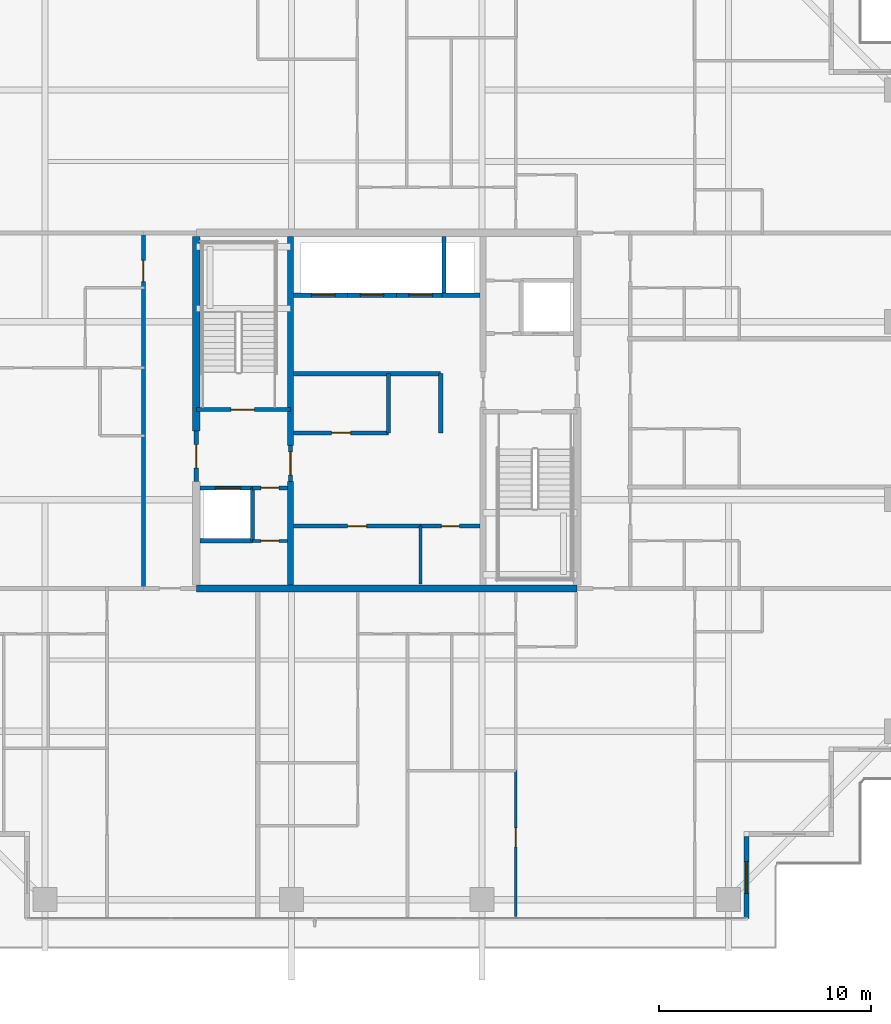
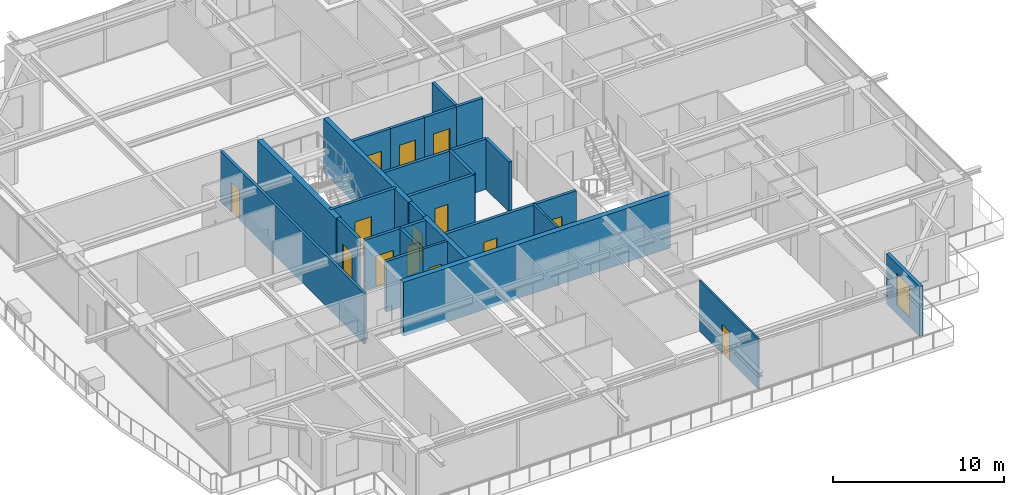
# One storey, part 28 of 40: 27 walls, 14 doors, 1 window, 15 openings.
"""IFC4 building model written with IfcOpenShell, lengths in metres."""

from ifc_helpers import new_model, si_unit, direction, frame, frame_2d, origin, place, context, subcontext, project, spatial, rectangle, extrude, source, transform, mapped, material, layer, layer_set, type_object, element, fill, save


model = new_model("IFC4")

# Units and contexts
model_context = context("Model", 3, precision=1e-05, world=origin(), true_north=direction((0.0, 1.0)))
body_context = subcontext(model_context, "Body", "Model", "MODEL_VIEW")
ifc_project = project(units=[si_unit("LENGTHUNIT", "METRE"), si_unit("AREAUNIT", "SQUARE_METRE"), si_unit("VOLUMEUNIT", "CUBIC_METRE"), si_unit("PLANEANGLEUNIT", "RADIAN"), si_unit("MASSUNIT", "GRAM", prefix="KILO")], contexts=[model_context])

# Site, building, storey
site_placement = place(None, origin())
site = spatial("IfcSite", under=ifc_project, at=site_placement, CompositionType="ELEMENT")
building_placement = place(site_placement, origin())
building = spatial("IfcBuilding", under=site, at=building_placement, Name="Serunith Strait Residences", CompositionType="ELEMENT")
storey_placement = place(building_placement, frame((0.0, 0.0, 252.800048828125)))
storey = spatial("IfcBuildingStorey", under=building, at=storey_placement, Name="L63", CompositionType="ELEMENT", Elevation=252.800048828125)

# Wall, opening, window
ifc_material_1 = material(Name="Pale-Champagne Aluminium Insulated Panel", Category="aluminium")
ifc_layer_1 = layer(ifc_material_1, 0.219970703125, Name="Pale-Champagne Aluminium Insulated Panel")
ifc_layer_set_1 = layer_set([ifc_layer_1], Name="Pale-Champagne Aluminium Insulated Panel")
wall_type_1 = type_object("IfcWallType", Name="EW-ALUM-220", PredefinedType="ELEMENTEDWALL", material=ifc_layer_set_1)
wall_1_placement = place(storey_placement, frame((49.39990234375, 1.199951171875, 0.0), z_axis=(0.0, 0.0, 1.0), x_axis=(0.0, 1.0, 0.0)))
wall_1 = element("IfcWall", 1, at=wall_1_placement, inside=storey, type_object=wall_type_1, Name="L63 Girih Serrated Corner Wall 02", PredefinedType="ELEMENTEDWALL", context=body_context, shape_type="SweptSolid", body=[
    extrude(rectangle(XDim=3.89013671875, YDim=0.219970703125, at=frame_2d((1.945068359375, 0.0))), origin(), (0.0, 0.0, 1.0), 3.574951171875),
])
opening_1_placement = place(wall_1_placement, frame((1.195068359375, 0.0, 0.64990234375)))
opening_1 = element("IfcOpeningElement", 2, at=opening_1_placement, cuts=wall_1, Name="Opening W-05", PredefinedType="OPENING", context=body_context, shape_type="SweptSolid", body=[
    extrude(rectangle(XDim=1.5, YDim=2.25, at=frame_2d((0.75, 1.125))), frame((0.0, 0.1201171875, 0.0), z_axis=(0.0, -1.0, 0.0), x_axis=(1.0, 0.0, 0.0)), (0.0, 0.0, 1.0), 0.239990234375),
])
ifc_material_2 = material(Name="Ceramic-Fritted Operable Aluminium Window Glass", Category="aluminium")
window_type = type_object("IfcWindowType", Name="WIN-C5", PartitioningType="DOUBLE_PANEL_VERTICAL", PredefinedType="WINDOW", material=ifc_material_2)
shared_shape_1 = source(origin(), body_context, "Body", "SweptSolid", [
    extrude(rectangle(XDim=1.5, YDim=2.25, at=frame_2d((0.75, 1.125))), frame((0.0, 0.030029296875, 0.0), z_axis=(0.0, -1.0, 0.0), x_axis=(1.0, 0.0, 0.0)), (0.0, 0.0, 1.0), 0.06005859375),
])
window_placement = place(opening_1_placement, origin())
window = element("IfcWindow", 3, at=window_placement, inside=storey, type_object=window_type, Name="L63 Corner Operable Fritted Window 02", OverallHeight=2.25, OverallWidth=1.5, PartitioningType="SINGLE_PANEL", PredefinedType="WINDOW", context=body_context, shape_type="MappedRepresentation", body=[
    mapped(shared_shape_1, transform((0.0, 0.0, 0.0), scale=1.0)),
])
fill(opening_1, window)

# Wall, opening, door
ifc_material_3 = material(Name="Fire-rated masonry service closet wall", Category="masonry")
ifc_layer_2 = layer(ifc_material_3, 0.14990234375, Name="Fire-rated masonry service closet wall")
ifc_layer_set_2 = layer_set([ifc_layer_2], Name="Fire-rated masonry service closet wall")
wall_type_2 = type_object("IfcWallType", Name="IW-BOH-150", PredefinedType="PARTITIONING", material=ifc_layer_set_2)
wall_2_placement = place(storey_placement, frame((26.052001953125, 19.050048828125, 0.0), z_axis=(0.0, 0.0, 1.0), x_axis=(1.0, 0.0, 0.0)))
wall_2 = element("IfcWall", 4, at=wall_2_placement, inside=storey, type_object=wall_type_2, Name="L63 Partition Wall 011", PredefinedType="PARTITIONING", context=body_context, shape_type="SweptSolid", body=[
    extrude(rectangle(XDim=1.64794921875, YDim=0.14990234375, at=frame_2d((0.823974609375, 0.0))), origin(), (0.0, 0.0, 1.0), 3.58984375),
])
opening_2_placement = place(wall_2_placement, frame((0.39892578125, 0.0, 0.0)))
opening_2 = element("IfcOpeningElement", 5, at=opening_2_placement, cuts=wall_2, Name="Opening FD-850", PredefinedType="OPENING", context=body_context, shape_type="SweptSolid", body=[
    extrude(rectangle(XDim=0.85009765625, YDim=2.10009765625, at=frame_2d((0.425048828125, 1.050048828125))), frame((0.0, 0.0849609375, 0.0), z_axis=(0.0, -1.0, 0.0), x_axis=(1.0, 0.0, 0.0)), (0.0, 0.0, 1.0), 0.169921875),
])
ifc_material_4 = material(Name="Powder-coated steel service closet door", Category="steel")
door_type_1 = type_object("IfcDoorType", Name="FD-BOH-850", OperationType="NOTDEFINED", PredefinedType="DOOR", material=ifc_material_4)
shared_shape_2 = source(origin(), body_context, "Body", "SweptSolid", [
    extrude(rectangle(XDim=0.85009765625, YDim=2.10009765625, at=frame_2d((0.425048828125, 1.050048828125))), frame((0.0, 0.02490234375, 0.0), z_axis=(0.0, -1.0, 0.0), x_axis=(1.0, 0.0, 0.0)), (0.0, 0.0, 1.0), 0.050048828125),
])
door_1_placement = place(opening_2_placement, origin())
door_1 = element("IfcDoor", 6, at=door_1_placement, inside=storey, type_object=door_type_1, Name="L63 Water Meter Door", OperationType="SINGLE_SWING_RIGHT", OverallHeight=2.10009765625, OverallWidth=0.85009765625, PredefinedType="DOOR", context=body_context, shape_type="MappedRepresentation", body=[
    mapped(shared_shape_2, transform((0.0, 0.0, 0.0), scale=1.0)),
])
fill(opening_2, door_1)

# Wall
wall_3_placement = place(storey_placement, frame((34.0, 17.02001953125, 0.0), z_axis=(0.0, 0.0, 1.0), x_axis=(0.0, 1.0, 0.0)))
element("IfcWall", 7, at=wall_3_placement, inside=storey, type_object=wall_type_2, Name="L63 Partition Wall 015", PredefinedType="PARTITIONING", context=body_context, shape_type="SweptSolid", body=[
    extrude(rectangle(XDim=2.72998046875, YDim=0.14990234375, at=frame_2d((1.364990234375, 0.0))), origin(), (0.0, 0.0, 1.0), 3.58984375),
])

# Wall, opening, door
ifc_material_5 = material(Name="Fire-rated acoustic gypsum partition")
ifc_layer_3 = layer(ifc_material_5, 0.179931640625, Name="Fire-rated acoustic gypsum partition")
ifc_layer_set_3 = layer_set([ifc_layer_3], Name="Fire-rated acoustic gypsum partition")
wall_type_3 = type_object("IfcWallType", Name="IW-CORR-180", PredefinedType="PARTITIONING", material=ifc_layer_set_3)
wall_4_placement = place(storey_placement, frame((20.89990234375, 16.800048828125, 0.0), z_axis=(0.0, 0.0, 1.0), x_axis=(0.0, 1.0, 0.0)))
wall_4 = element("IfcWall", 8, at=wall_4_placement, inside=storey, type_object=wall_type_3, Name="L63 Partition Wall 029", PredefinedType="PARTITIONING", context=body_context, shape_type="SweptSolid", body=[
    extrude(rectangle(XDim=16.800048828125, YDim=0.179931640625, at=frame_2d((8.39990234375, 0.0))), origin(), (0.0, 0.0, 1.0), 3.58984375),
])
opening_3_placement = place(wall_4_placement, frame((14.5, 0.0, 0.0)))
opening_3 = element("IfcOpeningElement", 9, at=opening_3_placement, cuts=wall_4, Name="Opening D-APT1000", PredefinedType="OPENING", context=body_context, shape_type="SweptSolid", body=[
    extrude(rectangle(XDim=1.0, YDim=2.14990234375, at=frame_2d((0.5, 1.074951171875))), frame((0.0, 0.10009765625, 0.0), z_axis=(0.0, -1.0, 0.0), x_axis=(1.0, 0.0, 0.0)), (0.0, 0.0, 1.0), 0.199951171875),
])
ifc_material_6 = material(Name="Solid timber engineered fire door", Category="wood")
door_type_2 = type_object("IfcDoorType", Name="ID-APT-1000", OperationType="NOTDEFINED", PredefinedType="DOOR", material=ifc_material_6)
shared_shape_3 = source(origin(), body_context, "Body", "SweptSolid", [
    extrude(rectangle(XDim=1.0, YDim=2.14990234375, at=frame_2d((0.5, 1.074951171875))), frame((0.0, 0.02490234375, 0.0), z_axis=(0.0, -1.0, 0.0), x_axis=(1.0, 0.0, 0.0)), (0.0, 0.0, 1.0), 0.050048828125),
])
door_2_placement = place(opening_3_placement, origin())
door_2 = element("IfcDoor", 10, at=door_2_placement, inside=storey, type_object=door_type_2, Name="L63 Unit 04 Entrance Door", OperationType="SINGLE_SWING_RIGHT", OverallHeight=2.14990234375, OverallWidth=1.0, PredefinedType="DOOR", context=body_context, shape_type="MappedRepresentation", body=[
    mapped(shared_shape_3, transform((0.0, 0.0, 0.0), scale=1.0)),
])
fill(opening_3, door_2)

ifc_material_7 = material(Name="Lightweight steel-stud gypsum partition", Category="steel")
ifc_layer_4 = layer(ifc_material_7, 0.1201171875, Name="Lightweight steel-stud gypsum partition")
ifc_layer_set_4 = layer_set([ifc_layer_4], Name="Lightweight steel-stud gypsum partition")
wall_type_4 = type_object("IfcWallType", Name="IW-PART-120", PredefinedType="PARTITIONING", material=ifc_layer_set_4)
wall_5_placement = place(storey_placement, frame((38.5, 1.294921875, 0.0), z_axis=(0.0, 0.0, 1.0), x_axis=(0.0, 1.0, 0.0)))
wall_5 = element("IfcWall", 11, at=wall_5_placement, inside=storey, type_object=wall_type_4, Name="L63 Partition Wall 049", PredefinedType="PARTITIONING", context=body_context, shape_type="SweptSolid", body=[
    extrude(rectangle(XDim=6.89404296875, YDim=0.1201171875, at=frame_2d((3.447021484375, 0.0))), origin(), (0.0, 0.0, 1.0), 3.58984375),
])
opening_4_placement = place(wall_5_placement, frame((3.297119140625, 0.0, 0.0)))
opening_4 = element("IfcOpeningElement", 12, at=opening_4_placement, cuts=wall_5, Name="Opening D-RM900", PredefinedType="OPENING", context=body_context, shape_type="SweptSolid", body=[
    extrude(rectangle(XDim=0.89990234375, YDim=2.10009765625, at=frame_2d((0.449951171875, 1.050048828125))), frame((0.0, 0.070068359375, 0.0), z_axis=(0.0, -1.0, 0.0), x_axis=(1.0, 0.0, 0.0)), (0.0, 0.0, 1.0), 0.14013671875),
])
ifc_material_8 = material(Name="Engineered timber flush bedroom door", Category="wood")
door_type_3 = type_object("IfcDoorType", Name="ID-ROOM-900", OperationType="NOTDEFINED", PredefinedType="DOOR", material=ifc_material_8)
shared_shape_4 = source(origin(), body_context, "Body", "SweptSolid", [
    extrude(rectangle(XDim=0.89990234375, YDim=2.10009765625, at=frame_2d((0.449951171875, 1.050048828125))), frame((0.0, 0.02490234375, 0.0), z_axis=(0.0, -1.0, 0.0), x_axis=(1.0, 0.0, 0.0)), (0.0, 0.0, 1.0), 0.050048828125),
])
door_3_placement = place(opening_4_placement, origin())
door_3 = element("IfcDoor", 13, at=door_3_placement, inside=storey, type_object=door_type_3, Name="L63 Formal Dining Room 1 6302 Door", OperationType="SINGLE_SWING_LEFT", OverallHeight=2.10009765625, OverallWidth=0.89990234375, PredefinedType="DOOR", context=body_context, shape_type="MappedRepresentation", body=[
    mapped(shared_shape_4, transform((0.0, 0.0, 0.0), scale=1.0)),
])
fill(opening_4, door_3)

ifc_material_9 = material(Name="Autoclaved aerated concrete blockwork", Category="masonry")
ifc_layer_5 = layer(ifc_material_9, 0.199951171875, Name="Autoclaved aerated concrete blockwork")
ifc_layer_set_5 = layer_set([ifc_layer_5], Name="Autoclaved aerated concrete blockwork")
wall_type_5 = type_object("IfcWallType", Name="IW-SHAFT-200", PredefinedType="STANDARD", material=ifc_layer_set_5)
wall_6_placement = place(storey_placement, frame((23.39990234375, 25.25, 0.0), z_axis=(0.0, 0.0, 1.0), x_axis=(1.0, 0.0, 0.0)))
wall_6 = element("IfcWall", 14, at=wall_6_placement, inside=storey, type_object=wall_type_5, Name="L63 ST-1 South Shaft Wall", PredefinedType="STANDARD", context=body_context, shape_type="SweptSolid", body=[
    extrude(rectangle(XDim=4.4501953125, YDim=0.199951171875, at=frame_2d((2.22509765625, 0.0))), origin(), (0.0, 0.0, 1.0), 3.58984375),
])
opening_5_placement = place(wall_6_placement, frame((1.64990234375, 0.0, 0.0)))
opening_5 = element("IfcOpeningElement", 15, at=opening_5_placement, cuts=wall_6, Name="Opening FD-1100", PredefinedType="OPENING", context=body_context, shape_type="SweptSolid", body=[
    extrude(rectangle(XDim=1.10009765625, YDim=2.14990234375, at=frame_2d((0.550048828125, 1.074951171875))), frame((0.0, 0.10986328125, 0.0), z_axis=(0.0, -1.0, 0.0), x_axis=(1.0, 0.0, 0.0)), (0.0, 0.0, 1.0), 0.219970703125),
])
ifc_material_10 = material(Name="Galvanised steel fire door leaf", Category="steel")
door_type_4 = type_object("IfcDoorType", Name="FD-STAIR-1100", OperationType="NOTDEFINED", PredefinedType="DOOR", material=ifc_material_10)
shared_shape_5 = source(origin(), body_context, "Body", "SweptSolid", [
    extrude(rectangle(XDim=1.10009765625, YDim=2.14990234375, at=frame_2d((0.550048828125, 1.074951171875))), frame((0.0, 0.02490234375, 0.0), z_axis=(0.0, -1.0, 0.0), x_axis=(1.0, 0.0, 0.0)), (0.0, 0.0, 1.0), 0.050048828125),
])
door_4_placement = place(opening_5_placement, origin())
door_4 = element("IfcDoor", 16, at=door_4_placement, inside=storey, type_object=door_type_4, Name="L63 ST-1 Escape Stair Door", OperationType="SINGLE_SWING_LEFT", OverallHeight=2.14990234375, OverallWidth=1.10009765625, PredefinedType="DOOR", context=body_context, shape_type="MappedRepresentation", body=[
    mapped(shared_shape_5, transform((0.0, 0.0, 0.0), scale=1.0)),
])
fill(opening_5, door_4)

wall_7_placement = place(storey_placement, frame((23.574951171875, 21.550048828125, 0.0), z_axis=(0.0, 0.0, 1.0), x_axis=(1.0, 0.0, 0.0)))
wall_7 = element("IfcWall", 17, at=wall_7_placement, inside=storey, type_object=wall_type_5, Name="L63 FL-1 North Shaft Wall", PredefinedType="STANDARD", context=body_context, shape_type="SweptSolid", body=[
    extrude(rectangle(XDim=2.47509765625, YDim=0.199951171875, at=frame_2d((1.237548828125, 0.0))), origin(), (0.0, 0.0, 1.0), 3.58984375),
])
opening_6_placement = place(wall_7_placement, frame((0.72509765625, 0.0, 0.0)))
opening_6 = element("IfcOpeningElement", 18, at=opening_6_placement, cuts=wall_7, Name="Opening LD-FF1200", PredefinedType="OPENING", context=body_context, shape_type="SweptSolid", body=[
    extrude(rectangle(XDim=1.199951171875, YDim=2.199951171875, at=frame_2d((0.60009765625, 1.10009765625))), frame((0.0, 0.10986328125, 0.0), z_axis=(0.0, -1.0, 0.0), x_axis=(1.0, 0.0, 0.0)), (0.0, 0.0, 1.0), 0.219970703125),
])
ifc_material_11 = material(Name="Brushed stainless steel landing door", Category="steel")
door_type_5 = type_object("IfcDoorType", Name="LD-FF-1200", OperationType="DOUBLE_DOOR_SLIDING", PredefinedType="DOOR", material=ifc_material_11)
shared_shape_6 = source(origin(), body_context, "Body", "SweptSolid", [
    extrude(rectangle(XDim=1.199951171875, YDim=2.199951171875, at=frame_2d((0.60009765625, 1.10009765625))), frame((0.0, 0.02490234375, 0.0), z_axis=(0.0, -1.0, 0.0), x_axis=(1.0, 0.0, 0.0)), (0.0, 0.0, 1.0), 0.050048828125),
])
door_5_placement = place(opening_6_placement, origin())
door_5 = element("IfcDoor", 19, at=door_5_placement, inside=storey, type_object=door_type_5, Name="L63 FL-1 Landing Door", OperationType="DOUBLE_DOOR_SLIDING", OverallHeight=2.199951171875, OverallWidth=1.199951171875, PredefinedType="DOOR", context=body_context, shape_type="MappedRepresentation", body=[
    mapped(shared_shape_6, transform((0.0, 0.0, 0.0), scale=1.0)),
])
fill(opening_6, door_5)

wall_8_placement = place(storey_placement, frame((28.0, 30.64990234375, 0.0), z_axis=(0.0, 0.0, 1.0), x_axis=(1.0, 0.0, 0.0)))
wall_8 = element("IfcWall", 20, at=wall_8_placement, inside=storey, type_object=wall_type_5, Name="L63 PL-7 South Shaft Wall", PredefinedType="STANDARD", context=body_context, shape_type="SweptSolid", body=[
    extrude(rectangle(XDim=2.550048828125, YDim=0.199951171875, at=frame_2d((1.27490234375, 0.0))), origin(), (0.0, 0.0, 1.0), 3.58984375),
])
opening_7_placement = place(wall_8_placement, frame((0.85009765625, 0.0, 0.0)))
opening_7 = element("IfcOpeningElement", 21, at=opening_7_placement, cuts=wall_8, Name="Opening LD-1100", PredefinedType="OPENING", context=body_context, shape_type="SweptSolid", body=[
    extrude(rectangle(XDim=1.10009765625, YDim=2.199951171875, at=frame_2d((0.550048828125, 1.10009765625))), frame((0.0, 0.10986328125, 0.0), z_axis=(0.0, -1.0, 0.0), x_axis=(1.0, 0.0, 0.0)), (0.0, 0.0, 1.0), 0.219970703125),
])
ifc_material_12 = material(Name="Pale-champagne stainless landing door")
door_type_6 = type_object("IfcDoorType", Name="LD-LIFT-1100", OperationType="DOUBLE_DOOR_SLIDING", PredefinedType="DOOR", material=ifc_material_12)
shared_shape_7 = source(origin(), body_context, "Body", "SweptSolid", [
    extrude(rectangle(XDim=1.10009765625, YDim=2.199951171875, at=frame_2d((0.550048828125, 1.10009765625))), frame((0.0, 0.02490234375, 0.0), z_axis=(0.0, -1.0, 0.0), x_axis=(1.0, 0.0, 0.0)), (0.0, 0.0, 1.0), 0.050048828125),
])
door_6_placement = place(opening_7_placement, origin())
door_6 = element("IfcDoor", 22, at=door_6_placement, inside=storey, type_object=door_type_6, Name="L63 PL-7 Landing Door", OperationType="DOUBLE_DOOR_SLIDING", OverallHeight=2.199951171875, OverallWidth=1.10009765625, PredefinedType="DOOR", context=body_context, shape_type="MappedRepresentation", body=[
    mapped(shared_shape_7, transform((0.0, 0.0, 0.0), scale=1.0)),
])
fill(opening_7, door_6)

wall_9_placement = place(storey_placement, frame((30.550048828125, 30.64990234375, 0.0), z_axis=(0.0, 0.0, 1.0), x_axis=(1.0, 0.0, 0.0)))
wall_9 = element("IfcWall", 23, at=wall_9_placement, inside=storey, type_object=wall_type_5, Name="L63 PL-8 South Shaft Wall", PredefinedType="STANDARD", context=body_context, shape_type="SweptSolid", body=[
    extrude(rectangle(XDim=2.300048828125, YDim=0.199951171875, at=frame_2d((1.14990234375, 0.0))), origin(), (0.0, 0.0, 1.0), 3.58984375),
])
opening_8_placement = place(wall_9_placement, frame((0.60009765625, 0.0, 0.0)))
opening_8 = element("IfcOpeningElement", 24, at=opening_8_placement, cuts=wall_9, Name="Opening LD-1100", PredefinedType="OPENING", context=body_context, shape_type="SweptSolid", body=[
    extrude(rectangle(XDim=1.10009765625, YDim=2.199951171875, at=frame_2d((0.550048828125, 1.10009765625))), frame((0.0, 0.10986328125, 0.0), z_axis=(0.0, -1.0, 0.0), x_axis=(1.0, 0.0, 0.0)), (0.0, 0.0, 1.0), 0.219970703125),
])
door_7_placement = place(opening_8_placement, origin())
door_7 = element("IfcDoor", 25, at=door_7_placement, inside=storey, type_object=door_type_6, Name="L63 PL-8 Landing Door", OperationType="DOUBLE_DOOR_SLIDING", OverallHeight=2.199951171875, OverallWidth=1.10009765625, PredefinedType="DOOR", context=body_context, shape_type="MappedRepresentation", body=[
    mapped(shared_shape_7, transform((0.0, 0.0, 0.0), scale=1.0)),
])
fill(opening_8, door_7)

wall_10_placement = place(storey_placement, frame((32.85009765625, 30.64990234375, 0.0), z_axis=(0.0, 0.0, 1.0), x_axis=(1.0, 0.0, 0.0)))
wall_10 = element("IfcWall", 26, at=wall_10_placement, inside=storey, type_object=wall_type_5, Name="L63 PL-9 South Shaft Wall", PredefinedType="STANDARD", context=body_context, shape_type="SweptSolid", body=[
    extrude(rectangle(XDim=2.14990234375, YDim=0.199951171875, at=frame_2d((1.074951171875, 0.0))), origin(), (0.0, 0.0, 1.0), 3.58984375),
])
opening_9_placement = place(wall_10_placement, frame((0.60009765625, 0.0, 0.0)))
opening_9 = element("IfcOpeningElement", 27, at=opening_9_placement, cuts=wall_10, Name="Opening LD-1100", PredefinedType="OPENING", context=body_context, shape_type="SweptSolid", body=[
    extrude(rectangle(XDim=1.10009765625, YDim=2.199951171875, at=frame_2d((0.550048828125, 1.10009765625))), frame((0.0, 0.10986328125, 0.0), z_axis=(0.0, -1.0, 0.0), x_axis=(1.0, 0.0, 0.0)), (0.0, 0.0, 1.0), 0.219970703125),
])
door_8_placement = place(opening_9_placement, origin())
door_8 = element("IfcDoor", 28, at=door_8_placement, inside=storey, type_object=door_type_6, Name="L63 PL-9 Landing Door", OperationType="DOUBLE_DOOR_SLIDING", OverallHeight=2.199951171875, OverallWidth=1.10009765625, PredefinedType="DOOR", context=body_context, shape_type="MappedRepresentation", body=[
    mapped(shared_shape_7, transform((0.0, 0.0, 0.0), scale=1.0)),
])
fill(opening_9, door_8)

# Walls
wall_11_placement = place(storey_placement, frame((35.0, 30.64990234375, 0.0), z_axis=(0.0, 0.0, 1.0), x_axis=(1.0, 0.0, 0.0)))
element("IfcWall", 29, at=wall_11_placement, inside=storey, type_object=wall_type_5, Name="L63 SL-1 South Shaft Wall", PredefinedType="STANDARD", context=body_context, shape_type="SweptSolid", body=[
    extrude(rectangle(XDim=1.800048828125, YDim=0.199951171875, at=frame_2d((0.89990234375, 0.0))), origin(), (0.0, 0.0, 1.0), 3.58984375),
])
wall_12_placement = place(storey_placement, frame((35.10009765625, 30.75, 0.0), z_axis=(0.0, 0.0, 1.0), x_axis=(0.0, 1.0, 0.0)))
element("IfcWall", 30, at=wall_12_placement, inside=storey, type_object=wall_type_5, Name="L63 SL-1 West Shaft Wall", PredefinedType="STANDARD", context=body_context, shape_type="SweptSolid", body=[
    extrude(rectangle(XDim=2.675048828125, YDim=0.199951171875, at=frame_2d((1.33740234375, 0.0))), origin(), (0.0, 0.0, 1.0), 3.58984375),
])
wall_13_placement = place(storey_placement, frame((26.050048828125, 19.050048828125, 0.0), z_axis=(0.0, 0.0, 1.0), x_axis=(0.0, 1.0, 0.0)))
element("IfcWall", 31, at=wall_13_placement, inside=storey, type_object=wall_type_5, Name="L63 Partition Wall 001", PredefinedType="STANDARD", context=body_context, shape_type="SweptSolid", body=[
    extrude(rectangle(XDim=2.5, YDim=0.199951171875, at=frame_2d((1.25, 0.0))), origin(), (0.0, 0.0, 1.0), 3.58984375),
])
wall_14_placement = place(storey_placement, frame((23.574951171875, 19.050048828125, 0.0), z_axis=(0.0, 0.0, 1.0), x_axis=(1.0, 0.0, 0.0)))
element("IfcWall", 32, at=wall_14_placement, inside=storey, type_object=wall_type_5, Name="L63 Partition Wall 002", PredefinedType="STANDARD", context=body_context, shape_type="SweptSolid", body=[
    extrude(rectangle(XDim=2.47509765625, YDim=0.199951171875, at=frame_2d((1.237548828125, 0.0))), origin(), (0.0, 0.0, 1.0), 3.58984375),
])

# Wall, opening, door
wall_15_placement = place(storey_placement, frame((26.052001953125, 21.550048828125, 0.0), z_axis=(0.0, 0.0, 1.0), x_axis=(1.0, 0.0, 0.0)))
wall_15 = element("IfcWall", 33, at=wall_15_placement, inside=storey, type_object=wall_type_5, Name="L63 Partition Wall 003", PredefinedType="STANDARD", context=body_context, shape_type="SweptSolid", body=[
    extrude(rectangle(XDim=1.64794921875, YDim=0.199951171875, at=frame_2d((0.823974609375, 0.0))), origin(), (0.0, 0.0, 1.0), 3.58984375),
])
opening_10_placement = place(wall_15_placement, frame((0.39892578125, 0.0, 0.0)))
opening_10 = element("IfcOpeningElement", 34, at=opening_10_placement, cuts=wall_15, Name="Opening FD-850", PredefinedType="OPENING", context=body_context, shape_type="SweptSolid", body=[
    extrude(rectangle(XDim=0.85009765625, YDim=2.10009765625, at=frame_2d((0.425048828125, 1.050048828125))), frame((0.0, 0.10986328125, 0.0), z_axis=(0.0, -1.0, 0.0), x_axis=(1.0, 0.0, 0.0)), (0.0, 0.0, 1.0), 0.219970703125),
])
door_9_placement = place(opening_10_placement, origin())
door_9 = element("IfcDoor", 35, at=door_9_placement, inside=storey, type_object=door_type_1, Name="L63 South-West Core Service Door", OperationType="SINGLE_SWING_RIGHT", OverallHeight=2.10009765625, OverallWidth=0.85009765625, PredefinedType="DOOR", context=body_context, shape_type="MappedRepresentation", body=[
    mapped(shared_shape_2, transform((0.0, 0.0, 0.0), scale=1.0)),
])
fill(opening_10, door_9)

wall_16_placement = place(storey_placement, frame((23.39990234375, 21.85205078125, 0.0), z_axis=(0.0, 0.0, 1.0), x_axis=(0.0, 1.0, 0.0)))
wall_16 = element("IfcWall", 36, at=wall_16_placement, inside=storey, type_object=wall_type_5, Name="L63 Partition Wall 007", PredefinedType="STANDARD", context=body_context, shape_type="SweptSolid", body=[
    extrude(rectangle(XDim=2.39599609375, YDim=0.199951171875, at=frame_2d((1.197998046875, 0.0))), origin(), (0.0, 0.0, 1.0), 3.58984375),
])
opening_11_placement = place(wall_16_placement, frame((0.64794921875, 0.0, 0.0)))
opening_11 = element("IfcOpeningElement", 37, at=opening_11_placement, cuts=wall_16, Name="Opening FD-FFL", PredefinedType="OPENING", context=body_context, shape_type="SweptSolid", body=[
    extrude(rectangle(XDim=1.10009765625, YDim=2.14990234375, at=frame_2d((0.550048828125, 1.074951171875))), frame((0.0, 0.10986328125, 0.0), z_axis=(0.0, -1.0, 0.0), x_axis=(1.0, 0.0, 0.0)), (0.0, 0.0, 1.0), 0.219970703125),
])
ifc_material_13 = material(Name="Glazed steel smoke-lobby fire door", Category="steel")
door_type_7 = type_object("IfcDoorType", Name="FD-FFL-1100", OperationType="NOTDEFINED", PredefinedType="DOOR", material=ifc_material_13)
door_10_placement = place(opening_11_placement, origin())
door_10 = element("IfcDoor", 38, at=door_10_placement, inside=storey, type_object=door_type_7, Name="L63 FFL-1 Corridor Fire Door", OperationType="SINGLE_SWING_RIGHT", OverallHeight=2.14990234375, OverallWidth=1.10009765625, PredefinedType="DOOR", context=body_context, shape_type="MappedRepresentation", body=[
    mapped(shared_shape_5, transform((0.0, 0.0, 0.0), scale=1.0)),
])
fill(opening_11, door_10)

wall_17_placement = place(storey_placement, frame((27.85009765625, 21.85205078125, 0.0), z_axis=(0.0, 0.0, 1.0), x_axis=(0.0, 1.0, 0.0)))
wall_17 = element("IfcWall", 39, at=wall_17_placement, inside=storey, type_object=wall_type_5, Name="L63 Partition Wall 009", PredefinedType="STANDARD", context=body_context, shape_type="SweptSolid", body=[
    extrude(rectangle(XDim=1.696044921875, YDim=0.199951171875, at=frame_2d((0.84814453125, 0.0))), origin(), (0.0, 0.0, 1.0), 3.58984375),
])
opening_12_placement = place(wall_17_placement, frame((0.298095703125, 0.0, 0.0)))
opening_12 = element("IfcOpeningElement", 40, at=opening_12_placement, cuts=wall_17, Name="Opening FD-FFL", PredefinedType="OPENING", context=body_context, shape_type="SweptSolid", body=[
    extrude(rectangle(XDim=1.10009765625, YDim=2.14990234375, at=frame_2d((0.550048828125, 1.074951171875))), frame((0.0, 0.10986328125, 0.0), z_axis=(0.0, -1.0, 0.0), x_axis=(1.0, 0.0, 0.0)), (0.0, 0.0, 1.0), 0.219970703125),
])
door_11_placement = place(opening_12_placement, origin())
door_11 = element("IfcDoor", 41, at=door_11_placement, inside=storey, type_object=door_type_7, Name="L63 FFL-1 Lift Lobby Door", OperationType="SINGLE_SWING_RIGHT", OverallHeight=2.14990234375, OverallWidth=1.10009765625, PredefinedType="DOOR", context=body_context, shape_type="MappedRepresentation", body=[
    mapped(shared_shape_5, transform((0.0, 0.0, 0.0), scale=1.0)),
])
fill(opening_12, door_11)

wall_18_placement = place(storey_placement, frame((28.0, 19.75, 0.0), z_axis=(0.0, 0.0, 1.0), x_axis=(1.0, 0.0, 0.0)))
wall_18 = element("IfcWall", 42, at=wall_18_placement, inside=storey, type_object=wall_type_5, Name="L63 Partition Wall 013", PredefinedType="STANDARD", context=body_context, shape_type="SweptSolid", body=[
    extrude(rectangle(XDim=6.0, YDim=0.199951171875, at=frame_2d((3.0, 0.0))), origin(), (0.0, 0.0, 1.0), 3.58984375),
])
opening_13_placement = place(wall_18_placement, frame((2.550048828125, 0.0, 0.0)))
opening_13 = element("IfcOpeningElement", 43, at=opening_13_placement, cuts=wall_18, Name="Opening FD-900", PredefinedType="OPENING", context=body_context, shape_type="SweptSolid", body=[
    extrude(rectangle(XDim=0.89990234375, YDim=2.10009765625, at=frame_2d((0.449951171875, 1.050048828125))), frame((0.0, 0.10986328125, 0.0), z_axis=(0.0, -1.0, 0.0), x_axis=(1.0, 0.0, 0.0)), (0.0, 0.0, 1.0), 0.219970703125),
])
ifc_material_14 = material(Name="Powder-coated steel riser door", Category="steel")
door_type_8 = type_object("IfcDoorType", Name="FD-BOH-900", OperationType="NOTDEFINED", PredefinedType="DOOR", material=ifc_material_14)
door_12_placement = place(opening_13_placement, origin())
door_12 = element("IfcDoor", 44, at=door_12_placement, inside=storey, type_object=door_type_8, Name="L63 Telecoms Comms Door", OperationType="SINGLE_SWING_RIGHT", OverallHeight=2.10009765625, OverallWidth=0.89990234375, PredefinedType="DOOR", context=body_context, shape_type="MappedRepresentation", body=[
    mapped(shared_shape_4, transform((0.0, 0.0, 0.0), scale=1.0)),
])
fill(opening_13, door_12)

wall_19_placement = place(storey_placement, frame((34.001953125, 19.75, 0.0), z_axis=(0.0, 0.0, 1.0), x_axis=(1.0, 0.0, 0.0)))
wall_19 = element("IfcWall", 45, at=wall_19_placement, inside=storey, type_object=wall_type_5, Name="L63 Partition Wall 014", PredefinedType="STANDARD", context=body_context, shape_type="SweptSolid", body=[
    extrude(rectangle(XDim=2.798095703125, YDim=0.199951171875, at=frame_2d((1.39892578125, 0.0))), origin(), (0.0, 0.0, 1.0), 3.58984375),
])
opening_14_placement = place(wall_19_placement, frame((0.97412109375, 0.0, 0.0)))
opening_14 = element("IfcOpeningElement", 46, at=opening_14_placement, cuts=wall_19, Name="Opening FD-850", PredefinedType="OPENING", context=body_context, shape_type="SweptSolid", body=[
    extrude(rectangle(XDim=0.85009765625, YDim=2.10009765625, at=frame_2d((0.425048828125, 1.050048828125))), frame((0.0, 0.10986328125, 0.0), z_axis=(0.0, -1.0, 0.0), x_axis=(1.0, 0.0, 0.0)), (0.0, 0.0, 1.0), 0.219970703125),
])
door_13_placement = place(opening_14_placement, origin())
door_13 = element("IfcDoor", 47, at=door_13_placement, inside=storey, type_object=door_type_1, Name="L63 Floor Linen Closet Door", OperationType="SINGLE_SWING_LEFT", OverallHeight=2.10009765625, OverallWidth=0.85009765625, PredefinedType="DOOR", context=body_context, shape_type="MappedRepresentation", body=[
    mapped(shared_shape_2, transform((0.0, 0.0, 0.0), scale=1.0)),
])
fill(opening_14, door_13)

# Walls
wall_20_placement = place(storey_placement, frame((28.0, 26.949951171875, 0.0), z_axis=(0.0, 0.0, 1.0), x_axis=(1.0, 0.0, 0.0)))
element("IfcWall", 48, at=wall_20_placement, inside=storey, type_object=wall_type_5, Name="L63 Partition Wall 016", PredefinedType="STANDARD", context=body_context, shape_type="SweptSolid", body=[
    extrude(rectangle(XDim=6.949951171875, YDim=0.199951171875, at=frame_2d((3.47509765625, 0.0))), origin(), (0.0, 0.0, 1.0), 3.58984375),
])
wall_21_placement = place(storey_placement, frame((34.949951171875, 24.14990234375, 0.0), z_axis=(0.0, 0.0, 1.0), x_axis=(0.0, 1.0, 0.0)))
element("IfcWall", 49, at=wall_21_placement, inside=storey, type_object=wall_type_5, Name="L63 Partition Wall 017", PredefinedType="STANDARD", context=body_context, shape_type="SweptSolid", body=[
    extrude(rectangle(XDim=2.800048828125, YDim=0.199951171875, at=frame_2d((1.39990234375, 0.0))), origin(), (0.0, 0.0, 1.0), 3.58984375),
])

# Wall, opening, door
wall_22_placement = place(storey_placement, frame((28.0, 24.14990234375, 0.0), z_axis=(0.0, 0.0, 1.0), x_axis=(1.0, 0.0, 0.0)))
wall_22 = element("IfcWall", 50, at=wall_22_placement, inside=storey, type_object=wall_type_5, Name="L63 Partition Wall 018", PredefinedType="STANDARD", context=body_context, shape_type="SweptSolid", body=[
    extrude(rectangle(XDim=4.47998046875, YDim=0.199951171875, at=frame_2d((2.239990234375, 0.0))), origin(), (0.0, 0.0, 1.0), 3.58984375),
])
opening_15_placement = place(wall_22_placement, frame((1.7900390625, 0.0, 0.0)))
opening_15 = element("IfcOpeningElement", 51, at=opening_15_placement, cuts=wall_22, Name="Opening FD-900", PredefinedType="OPENING", context=body_context, shape_type="SweptSolid", body=[
    extrude(rectangle(XDim=0.89990234375, YDim=2.10009765625, at=frame_2d((0.449951171875, 1.050048828125))), frame((0.0, 0.10986328125, 0.0), z_axis=(0.0, -1.0, 0.0), x_axis=(1.0, 0.0, 0.0)), (0.0, 0.0, 1.0), 0.219970703125),
])
door_14_placement = place(opening_15_placement, origin())
door_14 = element("IfcDoor", 52, at=door_14_placement, inside=storey, type_object=door_type_8, Name="L63 Equipment Store Door", OperationType="SINGLE_SWING_RIGHT", OverallHeight=2.10009765625, OverallWidth=0.89990234375, PredefinedType="DOOR", context=body_context, shape_type="MappedRepresentation", body=[
    mapped(shared_shape_4, transform((0.0, 0.0, 0.0), scale=1.0)),
])
fill(opening_15, door_14)

# Walls
wall_23_placement = place(storey_placement, frame((32.47998046875, 24.14990234375, 0.0), z_axis=(0.0, 0.0, 1.0), x_axis=(0.0, 1.0, 0.0)))
element("IfcWall", 53, at=wall_23_placement, inside=storey, type_object=wall_type_5, Name="L63 Partition Wall 019", PredefinedType="STANDARD", context=body_context, shape_type="SweptSolid", body=[
    extrude(rectangle(XDim=2.800048828125, YDim=0.199951171875, at=frame_2d((1.39990234375, 0.0))), origin(), (0.0, 0.0, 1.0), 3.58984375),
])
ifc_material_15 = material(Name="Concrete C60/75", Category="concrete")
ifc_layer_6 = layer(ifc_material_15, 0.300048828125, Name="Concrete C60/75")
ifc_layer_set_6 = layer_set([ifc_layer_6], Name="Concrete C60/75")
wall_type_6 = type_object("IfcWallType", Name="SW-300-C60", PredefinedType="SHEAR", material=ifc_layer_set_6)
wall_24_placement = place(storey_placement, frame((27.85009765625, 16.97509765625, -0.260009765625), z_axis=(0.0, 0.0, 1.0), x_axis=(0.0, 1.0, 0.0)))
element("IfcWall", 54, at=wall_24_placement, inside=storey, type_object=wall_type_6, Name="L63 Core Internal West Web South Pier", PredefinedType="SHEAR", context=body_context, shape_type="SweptSolid", body=[
    extrude(rectangle(XDim=4.875, YDim=0.300048828125, at=frame_2d((2.4375, 0.0))), origin(), (0.0, 0.0, 1.0), 3.847900390625),
])
wall_25_placement = place(storey_placement, frame((27.85009765625, 23.550048828125, -0.260009765625), z_axis=(0.0, 0.0, 1.0), x_axis=(0.0, 1.0, 0.0)))
element("IfcWall", 55, at=wall_25_placement, inside=storey, type_object=wall_type_6, Name="L63 Core Internal West Web North Pier", PredefinedType="SHEAR", context=body_context, shape_type="SweptSolid", body=[
    extrude(rectangle(XDim=9.875, YDim=0.300048828125, at=frame_2d((4.9375, 0.0))), origin(), (0.0, 0.0, 1.0), 3.847900390625),
])
ifc_layer_7 = layer(ifc_material_15, 0.35009765625, Name="Concrete C60/75")
ifc_layer_set_7 = layer_set([ifc_layer_7], Name="Concrete C60/75")
wall_type_7 = type_object("IfcWallType", Name="SW-350-C60", PredefinedType="SHEAR", material=ifc_layer_set_7)
wall_26_placement = place(storey_placement, frame((23.39990234375, 16.800048828125, -0.260009765625), z_axis=(0.0, 0.0, 1.0), x_axis=(1.0, 0.0, 0.0)))
element("IfcWall", 56, at=wall_26_placement, inside=storey, type_object=wall_type_7, Name="L63 Core South Shear Wall", PredefinedType="SHEAR", context=body_context, shape_type="SweptSolid", body=[
    extrude(rectangle(XDim=18.0, YDim=0.35009765625, at=frame_2d((9.0, 0.0))), origin(), (0.0, 0.0, 1.0), 3.847900390625),
])
wall_27_placement = place(storey_placement, frame((23.39990234375, 24.25, -0.260009765625), z_axis=(0.0, 0.0, 1.0), x_axis=(0.0, 1.0, 0.0)))
element("IfcWall", 57, at=wall_27_placement, inside=storey, type_object=wall_type_7, Name="L63 Core West Shear Wall North Pier", PredefinedType="SHEAR", context=body_context, shape_type="SweptSolid", body=[
    extrude(rectangle(XDim=9.175048828125, YDim=0.35009765625, at=frame_2d((4.58740234375, 0.0))), origin(), (0.0, 0.0, 1.0), 3.847900390625),
])

save(model, "model.ifc")
